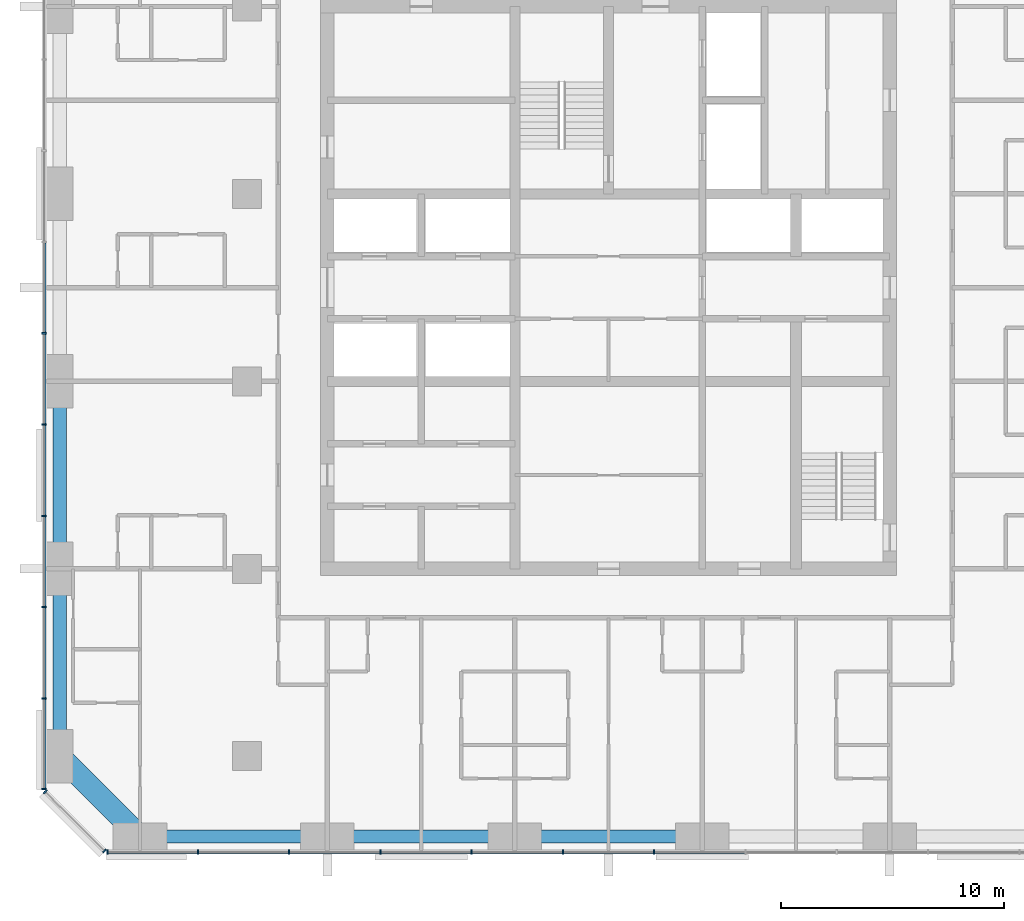
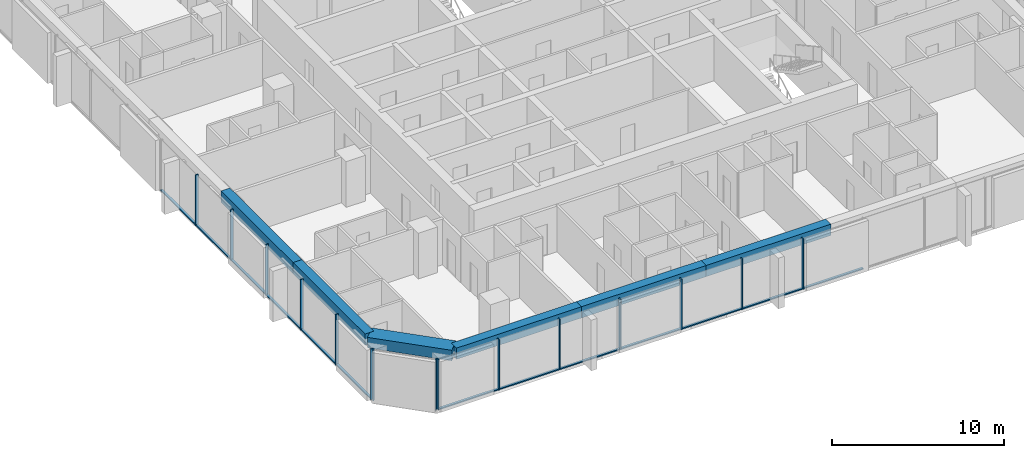
# One storey, part 2 of 14: 28 members, 6 beams, 3 elements without a shape of their own.
"""IFC4 building model written with IfcOpenShell, lengths in metres."""

from ifc_helpers import new_model, si_unit, direction, frame, origin, origin_2d, place, context, subcontext, project, spatial, rectangle, extrude, material, material_profile, profile_set, type_object, element, aggregate, save


model = new_model("IFC4")

# Units and contexts
model_context = context("Model", 3, precision=1e-05, world=origin(), true_north=direction((0.0, 1.0)))
body_context = subcontext(model_context, "Body", "Model", "MODEL_VIEW")
ifc_project = project(units=[si_unit("LENGTHUNIT", "METRE"), si_unit("AREAUNIT", "SQUARE_METRE"), si_unit("VOLUMEUNIT", "CUBIC_METRE"), si_unit("PLANEANGLEUNIT", "RADIAN"), si_unit("MASSUNIT", "GRAM", prefix="KILO")], contexts=[model_context])

# Site, building, storey
site_placement = place(None, origin())
site = spatial("IfcSite", under=ifc_project, at=site_placement, CompositionType="ELEMENT")
building_placement = place(site_placement, origin())
building = spatial("IfcBuilding", under=site, at=building_placement, Name="Dunama Terrace Hotel", CompositionType="ELEMENT")
storey_placement = place(building_placement, frame((0.0, 0.0, 180.60009765625)))
storey = spatial("IfcBuildingStorey", under=building, at=storey_placement, Name="L46", CompositionType="ELEMENT", Elevation=180.60009765625)

# Curtain wall, members
ifc_material_1 = material(Name="Aluminium curtain wall system", Category="aluminium")
curtain_wall_type = type_object("IfcCurtainWallType", Name="Unitised fritted glass wall CW-C", PredefinedType="NOTDEFINED", material=ifc_material_1)
curtain_wall_1_placement = place(storey_placement, origin())
curtain_wall_1 = element("IfcCurtainWall", 1, at=curtain_wall_1_placement, inside=storey, type_object=curtain_wall_type, Name="Unitised fritted glass wall CW-C L46", PredefinedType="NOTDEFINED")
ifc_material_2 = material(Name="Aluminium mullion", Category="aluminium")
ifc_material_profile_1 = material_profile(ifc_material_2, rectangle(XDim=0.070068359375, YDim=0.199951171875, at=origin_2d()), Name="CWC MULLION 70X200")
ifc_profile_set_1 = profile_set([ifc_material_profile_1], Name="Aluminium mullion")
member_type_1 = type_object("IfcMemberType", Name="CWC mullion 70x200", PredefinedType="MULLION", material=ifc_profile_set_1)
member_1_placement = place(storey_placement, frame((6.93505859375, 4.10009765625, 0.0), z_axis=(0.0, 0.0, 1.0), x_axis=(1.0, 0.0, 0.0)))
member_1 = element("IfcMember", 2, at=member_1_placement, type_object=member_type_1, Name="CWC mullion", PredefinedType="MULLION", context=body_context, shape_type="SweptSolid", body=[
    extrude(rectangle(XDim=0.070068359375, YDim=0.199951171875, at=origin_2d()), origin(), (0.0, 0.0, 1.0), 3.599853515625),
])
member_2_placement = place(storey_placement, frame((10.990966796875, 4.10009765625, 0.0), z_axis=(0.0, 0.0, 1.0), x_axis=(1.0, 0.0, 0.0)))
member_2 = element("IfcMember", 3, at=member_2_placement, type_object=member_type_1, Name="CWC mullion", PredefinedType="MULLION", context=body_context, shape_type="SweptSolid", body=[
    extrude(rectangle(XDim=0.070068359375, YDim=0.199951171875, at=origin_2d()), origin(), (0.0, 0.0, 1.0), 3.599853515625),
])
member_3_placement = place(storey_placement, frame((15.08203125, 4.10009765625, 0.0), z_axis=(0.0, 0.0, 1.0), x_axis=(1.0, 0.0, 0.0)))
member_3 = element("IfcMember", 4, at=member_3_placement, type_object=member_type_1, Name="CWC mullion", PredefinedType="MULLION", context=body_context, shape_type="SweptSolid", body=[
    extrude(rectangle(XDim=0.070068359375, YDim=0.199951171875, at=origin_2d()), origin(), (0.0, 0.0, 1.0), 3.599853515625),
])
member_4_placement = place(storey_placement, frame((19.173095703125, 4.10009765625, 0.0), z_axis=(0.0, 0.0, 1.0), x_axis=(1.0, 0.0, 0.0)))
member_4 = element("IfcMember", 5, at=member_4_placement, type_object=member_type_1, Name="CWC mullion", PredefinedType="MULLION", context=body_context, shape_type="SweptSolid", body=[
    extrude(rectangle(XDim=0.070068359375, YDim=0.199951171875, at=origin_2d()), origin(), (0.0, 0.0, 1.0), 3.599853515625),
])
member_5_placement = place(storey_placement, frame((23.263916015625, 4.10009765625, 0.0), z_axis=(0.0, 0.0, 1.0), x_axis=(1.0, 0.0, 0.0)))
member_5 = element("IfcMember", 6, at=member_5_placement, type_object=member_type_1, Name="CWC mullion", PredefinedType="MULLION", context=body_context, shape_type="SweptSolid", body=[
    extrude(rectangle(XDim=0.070068359375, YDim=0.199951171875, at=origin_2d()), origin(), (0.0, 0.0, 1.0), 3.599853515625),
])
member_6_placement = place(storey_placement, frame((27.35498046875, 4.10009765625, 0.0), z_axis=(0.0, 0.0, 1.0), x_axis=(1.0, 0.0, 0.0)))
member_6 = element("IfcMember", 7, at=member_6_placement, type_object=member_type_1, Name="CWC mullion", PredefinedType="MULLION", context=body_context, shape_type="SweptSolid", body=[
    extrude(rectangle(XDim=0.070068359375, YDim=0.199951171875, at=origin_2d()), origin(), (0.0, 0.0, 1.0), 3.599853515625),
])
member_7_placement = place(storey_placement, frame((31.445068359375, 4.10009765625, 0.0), z_axis=(0.0, 0.0, 1.0), x_axis=(1.0, 0.0, 0.0)))
member_7 = element("IfcMember", 8, at=member_7_placement, type_object=member_type_1, Name="CWC mullion", PredefinedType="MULLION", context=body_context, shape_type="SweptSolid", body=[
    extrude(rectangle(XDim=0.070068359375, YDim=0.199951171875, at=origin_2d()), origin(), (0.0, 0.0, 1.0), 3.599853515625),
])

curtain_wall_2_placement = place(storey_placement, origin())
curtain_wall_2 = element("IfcCurtainWall", 9, at=curtain_wall_2_placement, inside=storey, type_object=curtain_wall_type, Name="Unitised fritted glass wall CW-C L46", PredefinedType="NOTDEFINED")
member_8_placement = place(storey_placement, frame((4.10009765625, 27.35498046875, 0.0), z_axis=(0.0, 0.0, 1.0), x_axis=(0.0, -1.0, 0.0)))
member_8 = element("IfcMember", 10, at=member_8_placement, type_object=member_type_1, Name="CWC mullion", PredefinedType="MULLION", context=body_context, shape_type="SweptSolid", body=[
    extrude(rectangle(XDim=0.070068359375, YDim=0.199951171875, at=origin_2d()), origin(), (0.0, 0.0, 1.0), 3.599853515625),
])
member_9_placement = place(storey_placement, frame((4.10009765625, 23.263916015625, 0.0), z_axis=(0.0, 0.0, 1.0), x_axis=(0.0, -1.0, 0.0)))
member_9 = element("IfcMember", 11, at=member_9_placement, type_object=member_type_1, Name="CWC mullion", PredefinedType="MULLION", context=body_context, shape_type="SweptSolid", body=[
    extrude(rectangle(XDim=0.070068359375, YDim=0.199951171875, at=origin_2d()), origin(), (0.0, 0.0, 1.0), 3.599853515625),
])
member_10_placement = place(storey_placement, frame((4.10009765625, 19.173095703125, 0.0), z_axis=(0.0, 0.0, 1.0), x_axis=(0.0, -1.0, 0.0)))
member_10 = element("IfcMember", 12, at=member_10_placement, type_object=member_type_1, Name="CWC mullion", PredefinedType="MULLION", context=body_context, shape_type="SweptSolid", body=[
    extrude(rectangle(XDim=0.070068359375, YDim=0.199951171875, at=origin_2d()), origin(), (0.0, 0.0, 1.0), 3.599853515625),
])
member_11_placement = place(storey_placement, frame((4.10009765625, 15.08203125, 0.0), z_axis=(0.0, 0.0, 1.0), x_axis=(0.0, -1.0, 0.0)))
member_11 = element("IfcMember", 13, at=member_11_placement, type_object=member_type_1, Name="CWC mullion", PredefinedType="MULLION", context=body_context, shape_type="SweptSolid", body=[
    extrude(rectangle(XDim=0.070068359375, YDim=0.199951171875, at=origin_2d()), origin(), (0.0, 0.0, 1.0), 3.599853515625),
])
member_12_placement = place(storey_placement, frame((4.10009765625, 10.990966796875, 0.0), z_axis=(0.0, 0.0, 1.0), x_axis=(0.0, -1.0, 0.0)))
member_12 = element("IfcMember", 14, at=member_12_placement, type_object=member_type_1, Name="CWC mullion", PredefinedType="MULLION", context=body_context, shape_type="SweptSolid", body=[
    extrude(rectangle(XDim=0.070068359375, YDim=0.199951171875, at=origin_2d()), origin(), (0.0, 0.0, 1.0), 3.599853515625),
])
member_13_placement = place(storey_placement, frame((4.10009765625, 6.93505859375, 0.0), z_axis=(0.0, 0.0, 1.0), x_axis=(0.0, -1.0, 0.0)))
member_13 = element("IfcMember", 15, at=member_13_placement, type_object=member_type_1, Name="CWC mullion", PredefinedType="MULLION", context=body_context, shape_type="SweptSolid", body=[
    extrude(rectangle(XDim=0.070068359375, YDim=0.199951171875, at=origin_2d()), origin(), (0.0, 0.0, 1.0), 3.599853515625),
])

curtain_wall_3_placement = place(storey_placement, origin())
curtain_wall_3 = element("IfcCurtainWall", 16, at=curtain_wall_3_placement, inside=storey, type_object=curtain_wall_type, Name="Unitised fritted glass wall CW-C L46", PredefinedType="NOTDEFINED")
member_14_placement = place(storey_placement, frame((4.154052734375, 6.804931640625, 0.0), z_axis=(0.0, 0.0, 1.0), x_axis=(0.707106781187, -0.707106781187, 0.0)))
member_14 = element("IfcMember", 17, at=member_14_placement, type_object=member_type_1, Name="CWC mullion", PredefinedType="MULLION", context=body_context, shape_type="SweptSolid", body=[
    extrude(rectangle(XDim=0.070068359375, YDim=0.199951171875, at=origin_2d()), origin(), (0.0, 0.0, 1.0), 3.599853515625),
])
member_15_placement = place(storey_placement, frame((6.804931640625, 4.154052734375, 0.0), z_axis=(0.0, 0.0, 1.0), x_axis=(0.707106781187, -0.707106781187, 0.0)))
member_15 = element("IfcMember", 18, at=member_15_placement, type_object=member_type_1, Name="CWC mullion", PredefinedType="MULLION", context=body_context, shape_type="SweptSolid", body=[
    extrude(rectangle(XDim=0.070068359375, YDim=0.199951171875, at=origin_2d()), origin(), (0.0, 0.0, 1.0), 3.599853515625),
])
aggregate(curtain_wall_3, [member_14, member_15])

# Member
ifc_material_3 = material(Name="Aluminium transom", Category="aluminium")
ifc_material_profile_2 = material_profile(ifc_material_3, rectangle(XDim=0.159912109375, YDim=0.080078125, at=origin_2d()), Name="CWC TRANSOM 160X80")
ifc_profile_set_2 = profile_set([ifc_material_profile_2], Name="Aluminium transom")
member_type_2 = type_object("IfcMemberType", Name="CWC transom 160x80", PredefinedType="USERDEFINED", material=ifc_profile_set_2)
member_16_placement = place(storey_placement, frame((6.969970703125, 4.10009765625, 0.039794921875), z_axis=(1.0, 0.0, 0.0), x_axis=(0.0, 1.0, 0.0)))
member_16 = element("IfcMember", 19, at=member_16_placement, type_object=member_type_2, Name="CWC transom", ObjectType="TRANSOM", PredefinedType="USERDEFINED", context=body_context, shape_type="SweptSolid", body=[
    extrude(rectangle(XDim=0.159912109375, YDim=0.080078125, at=origin_2d()), origin(), (0.0, 0.0, 1.0), 3.986083984375),
])

member_17_placement = place(storey_placement, frame((11.02587890625, 4.10009765625, 0.039794921875), z_axis=(1.0, 0.0, 0.0), x_axis=(0.0, 1.0, 0.0)))
member_17 = element("IfcMember", 20, at=member_17_placement, type_object=member_type_2, Name="CWC transom", ObjectType="TRANSOM", PredefinedType="USERDEFINED", context=body_context, shape_type="SweptSolid", body=[
    extrude(rectangle(XDim=0.159912109375, YDim=0.080078125, at=origin_2d()), origin(), (0.0, 0.0, 1.0), 4.021240234375),
])

member_18_placement = place(storey_placement, frame((15.116943359375, 4.10009765625, 0.039794921875), z_axis=(1.0, 0.0, 0.0), x_axis=(0.0, 1.0, 0.0)))
member_18 = element("IfcMember", 21, at=member_18_placement, type_object=member_type_2, Name="CWC transom", ObjectType="TRANSOM", PredefinedType="USERDEFINED", context=body_context, shape_type="SweptSolid", body=[
    extrude(rectangle(XDim=0.159912109375, YDim=0.080078125, at=origin_2d()), origin(), (0.0, 0.0, 1.0), 4.02099609375),
])

member_19_placement = place(storey_placement, frame((19.2080078125, 4.10009765625, 0.039794921875), z_axis=(1.0, 0.0, 0.0), x_axis=(0.0, 1.0, 0.0)))
member_19 = element("IfcMember", 22, at=member_19_placement, type_object=member_type_2, Name="CWC transom", ObjectType="TRANSOM", PredefinedType="USERDEFINED", context=body_context, shape_type="SweptSolid", body=[
    extrude(rectangle(XDim=0.159912109375, YDim=0.080078125, at=origin_2d()), origin(), (0.0, 0.0, 1.0), 4.02099609375),
])

member_20_placement = place(storey_placement, frame((23.299072265625, 4.10009765625, 0.039794921875), z_axis=(1.0, 0.0, 0.0), x_axis=(0.0, 1.0, 0.0)))
member_20 = element("IfcMember", 23, at=member_20_placement, type_object=member_type_2, Name="CWC transom", ObjectType="TRANSOM", PredefinedType="USERDEFINED", context=body_context, shape_type="SweptSolid", body=[
    extrude(rectangle(XDim=0.159912109375, YDim=0.080078125, at=origin_2d()), origin(), (0.0, 0.0, 1.0), 4.02099609375),
])

member_21_placement = place(storey_placement, frame((27.389892578125, 4.10009765625, 0.039794921875), z_axis=(1.0, 0.0, 0.0), x_axis=(0.0, 1.0, 0.0)))
member_21 = element("IfcMember", 24, at=member_21_placement, type_object=member_type_2, Name="CWC transom", ObjectType="TRANSOM", PredefinedType="USERDEFINED", context=body_context, shape_type="SweptSolid", body=[
    extrude(rectangle(XDim=0.159912109375, YDim=0.080078125, at=origin_2d()), origin(), (0.0, 0.0, 1.0), 4.02001953125),
])

member_22_placement = place(storey_placement, frame((31.47998046875, 4.10009765625, 0.039794921875), z_axis=(1.0, 0.0, 0.0), x_axis=(0.0, 1.0, 0.0)))
member_22 = element("IfcMember", 25, at=member_22_placement, type_object=member_type_2, Name="CWC transom", ObjectType="TRANSOM", PredefinedType="USERDEFINED", context=body_context, shape_type="SweptSolid", body=[
    extrude(rectangle(XDim=0.159912109375, YDim=0.080078125, at=origin_2d()), origin(), (0.0, 0.0, 1.0), 4.02099609375),
])

aggregate(curtain_wall_1, [member_1, member_2, member_3, member_4, member_5, member_6, member_7, member_16, member_17, member_18, member_19, member_20, member_21, member_22])

member_23_placement = place(storey_placement, frame((4.10009765625, 31.409912109375, 0.039794921875), z_axis=(0.0, -1.0, 0.0), x_axis=(1.0, 0.0, 0.0)))
member_23 = element("IfcMember", 26, at=member_23_placement, type_object=member_type_2, Name="CWC transom", ObjectType="TRANSOM", PredefinedType="USERDEFINED", context=body_context, shape_type="SweptSolid", body=[
    extrude(rectangle(XDim=0.159912109375, YDim=0.080078125, at=origin_2d()), origin(), (0.0, 0.0, 1.0), 4.02001953125),
])

member_24_placement = place(storey_placement, frame((4.10009765625, 27.320068359375, 0.039794921875), z_axis=(0.0, -1.0, 0.0), x_axis=(1.0, 0.0, 0.0)))
member_24 = element("IfcMember", 27, at=member_24_placement, type_object=member_type_2, Name="CWC transom", ObjectType="TRANSOM", PredefinedType="USERDEFINED", context=body_context, shape_type="SweptSolid", body=[
    extrude(rectangle(XDim=0.159912109375, YDim=0.080078125, at=origin_2d()), origin(), (0.0, 0.0, 1.0), 4.02099609375),
])

member_25_placement = place(storey_placement, frame((4.10009765625, 23.22900390625, 0.039794921875), z_axis=(0.0, -1.0, 0.0), x_axis=(1.0, 0.0, 0.0)))
member_25 = element("IfcMember", 28, at=member_25_placement, type_object=member_type_2, Name="CWC transom", ObjectType="TRANSOM", PredefinedType="USERDEFINED", context=body_context, shape_type="SweptSolid", body=[
    extrude(rectangle(XDim=0.159912109375, YDim=0.080078125, at=origin_2d()), origin(), (0.0, 0.0, 1.0), 4.02099609375),
])

member_26_placement = place(storey_placement, frame((4.10009765625, 19.137939453125, 0.039794921875), z_axis=(0.0, -1.0, 0.0), x_axis=(1.0, 0.0, 0.0)))
member_26 = element("IfcMember", 29, at=member_26_placement, type_object=member_type_2, Name="CWC transom", ObjectType="TRANSOM", PredefinedType="USERDEFINED", context=body_context, shape_type="SweptSolid", body=[
    extrude(rectangle(XDim=0.159912109375, YDim=0.080078125, at=origin_2d()), origin(), (0.0, 0.0, 1.0), 4.02099609375),
])

member_27_placement = place(storey_placement, frame((4.10009765625, 15.047119140625, 0.039794921875), z_axis=(0.0, -1.0, 0.0), x_axis=(1.0, 0.0, 0.0)))
member_27 = element("IfcMember", 30, at=member_27_placement, type_object=member_type_2, Name="CWC transom", ObjectType="TRANSOM", PredefinedType="USERDEFINED", context=body_context, shape_type="SweptSolid", body=[
    extrude(rectangle(XDim=0.159912109375, YDim=0.080078125, at=origin_2d()), origin(), (0.0, 0.0, 1.0), 4.021240234375),
])

member_28_placement = place(storey_placement, frame((4.10009765625, 10.9560546875, 0.039794921875), z_axis=(0.0, -1.0, 0.0), x_axis=(1.0, 0.0, 0.0)))
member_28 = element("IfcMember", 31, at=member_28_placement, type_object=member_type_2, Name="CWC transom", ObjectType="TRANSOM", PredefinedType="USERDEFINED", context=body_context, shape_type="SweptSolid", body=[
    extrude(rectangle(XDim=0.159912109375, YDim=0.080078125, at=origin_2d()), origin(), (0.0, 0.0, 1.0), 3.986083984375),
])

aggregate(curtain_wall_2, [member_8, member_9, member_10, member_11, member_12, member_13, member_23, member_24, member_25, member_26, member_27, member_28])

# Beams
ifc_material_4 = material(Name="Concrete C50/60", Category="concrete")
ifc_material_profile_3 = material_profile(ifc_material_4, rectangle(XDim=1.0, YDim=0.75, at=origin_2d()), Name="RC 1000x750")
ifc_profile_set_3 = profile_set([ifc_material_profile_3], Name="Concrete C50/60")
beam_type_1 = type_object("IfcBeamType", Name="Edge beam RC 1000x750", PredefinedType="SPANDREL", material=ifc_profile_set_3)
beam_1_placement = place(storey_placement, frame((8.39990234375, 4.800048828125, 3.224853515625), z_axis=(-0.707106781187, 0.707106781187, 0.0), x_axis=(-0.707106781187, -0.707106781187, 0.0)))
element("IfcBeam", 32, at=beam_1_placement, inside=storey, type_object=beam_type_1, Name="Corner edge beam under L47", PredefinedType="SPANDREL", context=body_context, shape_type="SweptSolid", body=[
    extrude(rectangle(XDim=1.0, YDim=0.75, at=origin_2d()), origin(), (0.0, 0.0, 1.0), 5.091064453125),
])
ifc_material_5 = material(Name="Concrete C40/50", Category="concrete")
ifc_material_profile_4 = material_profile(ifc_material_5, rectangle(XDim=0.60009765625, YDim=0.800048828125, at=origin_2d()), Name="RC 600x800")
ifc_profile_set_4 = profile_set([ifc_material_profile_4], Name="Concrete C40/50")
beam_type_2 = type_object("IfcBeamType", Name="Edge beam RC 600x800", PredefinedType="SPANDREL", material=ifc_profile_set_4)
beam_2_placement = place(storey_placement, frame((4.800048828125, 8.39990234375, 3.199951171875), z_axis=(0.0, 1.0, 0.0), x_axis=(-1.0, 0.0, 0.0)))
element("IfcBeam", 33, at=beam_2_placement, inside=storey, type_object=beam_type_2, Name="Edge beam under L47", PredefinedType="SPANDREL", context=body_context, shape_type="SweptSolid", body=[
    extrude(rectangle(XDim=0.60009765625, YDim=0.800048828125, at=origin_2d()), origin(), (0.0, 0.0, 1.0), 8.400146484375),
])
beam_3_placement = place(storey_placement, frame((4.800048828125, 16.800048828125, 3.199951171875), z_axis=(0.0, 1.0, 0.0), x_axis=(-1.0, 0.0, 0.0)))
element("IfcBeam", 34, at=beam_3_placement, inside=storey, type_object=beam_type_2, Name="Edge beam under L47", PredefinedType="SPANDREL", context=body_context, shape_type="SweptSolid", body=[
    extrude(rectangle(XDim=0.60009765625, YDim=0.800048828125, at=origin_2d()), origin(), (0.0, 0.0, 1.0), 8.39990234375),
])
beam_4_placement = place(storey_placement, frame((8.39990234375, 4.800048828125, 3.199951171875), z_axis=(1.0, 0.0, 0.0), x_axis=(0.0, 1.0, 0.0)))
element("IfcBeam", 35, at=beam_4_placement, inside=storey, type_object=beam_type_2, Name="Edge beam under L47", PredefinedType="SPANDREL", context=body_context, shape_type="SweptSolid", body=[
    extrude(rectangle(XDim=0.60009765625, YDim=0.800048828125, at=origin_2d()), origin(), (0.0, 0.0, 1.0), 8.400146484375),
])
beam_5_placement = place(storey_placement, frame((16.800048828125, 4.800048828125, 3.199951171875), z_axis=(1.0, 0.0, 0.0), x_axis=(0.0, 1.0, 0.0)))
element("IfcBeam", 36, at=beam_5_placement, inside=storey, type_object=beam_type_2, Name="Edge beam under L47", PredefinedType="SPANDREL", context=body_context, shape_type="SweptSolid", body=[
    extrude(rectangle(XDim=0.60009765625, YDim=0.800048828125, at=origin_2d()), origin(), (0.0, 0.0, 1.0), 8.39990234375),
])
beam_6_placement = place(storey_placement, frame((25.199951171875, 4.800048828125, 3.199951171875), z_axis=(1.0, 0.0, 0.0), x_axis=(0.0, 1.0, 0.0)))
element("IfcBeam", 37, at=beam_6_placement, inside=storey, type_object=beam_type_2, Name="Edge beam under L47", PredefinedType="SPANDREL", context=body_context, shape_type="SweptSolid", body=[
    extrude(rectangle(XDim=0.60009765625, YDim=0.800048828125, at=origin_2d()), origin(), (0.0, 0.0, 1.0), 8.400146484375),
])

save(model, "model.ifc")
